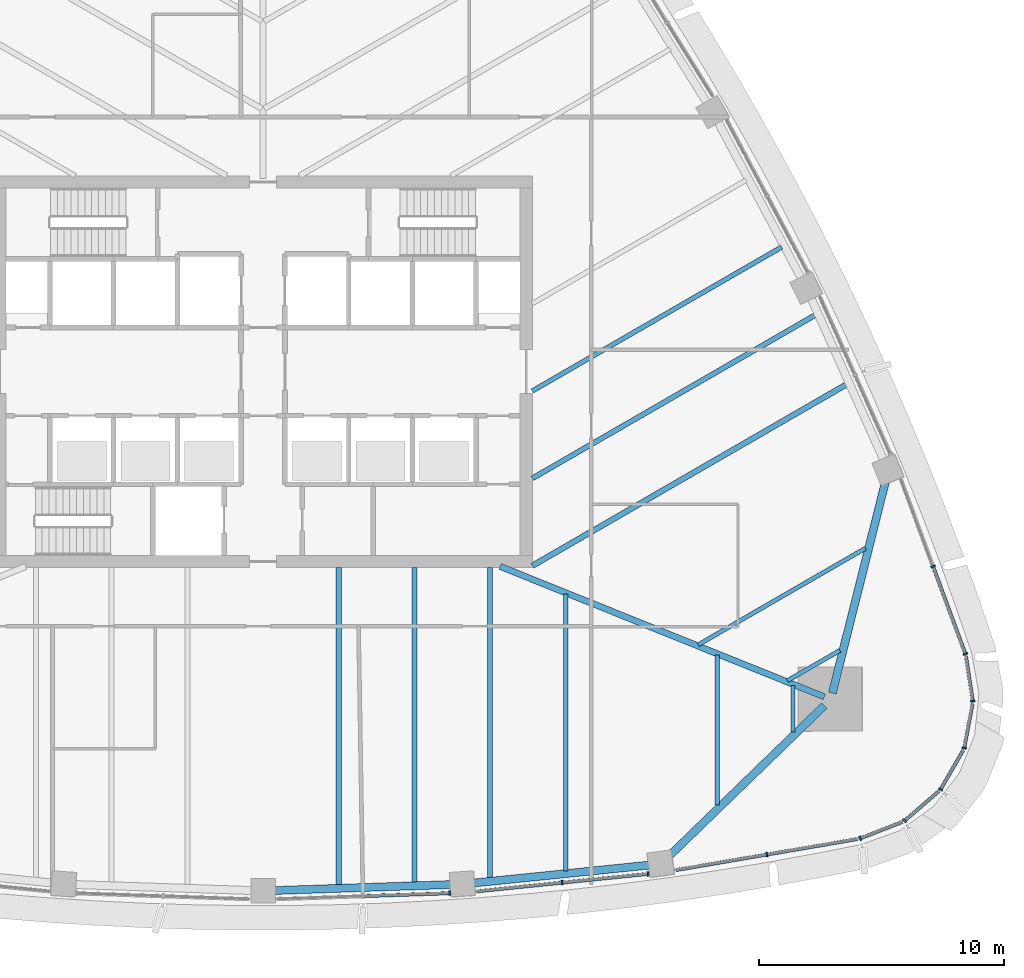
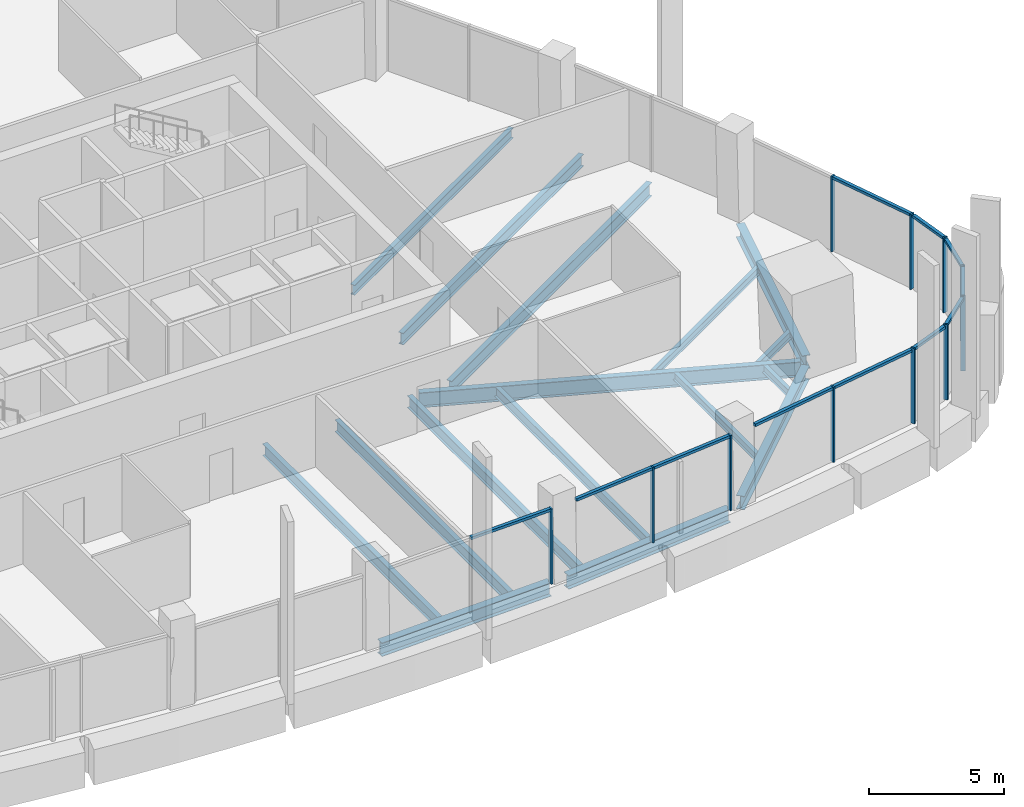
# One storey, part 4 of 19: 22 members, 16 beams, 9 elements without a shape of their own.
"""IFC4 building model written with IfcOpenShell, lengths in metres."""

from ifc_helpers import new_model, si_unit, direction, frame, origin, origin_2d, place, context, subcontext, project, spatial, rectangle, i_section, extrude, material, layer, layer_set, material_profile, profile_set, type_object, element, aggregate, save


model = new_model("IFC4")

# Units and contexts
model_context = context("Model", 3, precision=1e-05, world=origin(), true_north=direction((0.0, 1.0)))
body_context = subcontext(model_context, "Body", "Model", "MODEL_VIEW")
ifc_project = project(units=[si_unit("LENGTHUNIT", "METRE"), si_unit("AREAUNIT", "SQUARE_METRE"), si_unit("VOLUMEUNIT", "CUBIC_METRE"), si_unit("PLANEANGLEUNIT", "RADIAN"), si_unit("MASSUNIT", "GRAM", prefix="KILO")], contexts=[model_context])

# Site, building, storey
site_placement = place(None, origin())
site = spatial("IfcSite", under=ifc_project, at=site_placement, CompositionType="ELEMENT")
building_placement = place(site_placement, origin())
building = spatial("IfcBuilding", under=site, at=building_placement, Name="Sierra Prisma Convention Tower", CompositionType="ELEMENT")
storey_placement = place(building_placement, frame((0.0, 0.0, 193.800048828125)))
storey = spatial("IfcBuildingStorey", under=building, at=storey_placement, Name="L43", CompositionType="ELEMENT", Elevation=193.800048828125)

# Curtain wall, member
ifc_material_1 = material(Name="Aluminium and glass curtain wall", Category="aluminium")
ifc_layer = layer(ifc_material_1, 0.179931640625)
ifc_layer_set = layer_set([ifc_layer], Name="CW-1 Plain shaft curtain wall")
curtain_wall_type = type_object("IfcCurtainWallType", Name="CW-1 Plain shaft curtain wall", PredefinedType="NOTDEFINED", material=ifc_layer_set)
curtain_wall_1_placement = place(storey_placement, origin())
curtain_wall_1 = element("IfcCurtainWall", 1, at=curtain_wall_1_placement, inside=storey, type_object=curtain_wall_type, Name="CW-1 S4 L43", PredefinedType="NOTDEFINED")
ifc_material_2 = material(Name="Aluminium 6063-T6 bronze anodised", Category="aluminium")
ifc_material_profile_1 = material_profile(ifc_material_2, rectangle(XDim=0.179931640625, YDim=0.070068359375, at=origin_2d()), Name="ALU MULLION 70x180")
ifc_profile_set_1 = profile_set([ifc_material_profile_1], Name="Aluminium 6063-T6 bronze anodised")
member_type_1 = type_object("IfcMemberType", Name="CW mullion bronze", PredefinedType="MULLION", material=ifc_profile_set_1)
member_1_placement = place(storey_placement, frame((7.62255859375, -21.30029296875, 0.0), z_axis=(0.0, 0.0, 1.0), x_axis=(-0.033867816597, 0.999426320946, 0.0)))
member_1 = element("IfcMember", 2, at=member_1_placement, type_object=member_type_1, Name="CW-1 mullion S4.3", PredefinedType="MULLION", context=body_context, shape_type="SweptSolid", body=[
    extrude(rectangle(XDim=0.179931640625, YDim=0.070068359375, at=origin_2d()), origin(), (0.0, 0.0, 1.0), 3.39990234375),
])

# Curtain wall, members
curtain_wall_2_placement = place(storey_placement, origin())
curtain_wall_2 = element("IfcCurtainWall", 3, at=curtain_wall_2_placement, inside=storey, type_object=curtain_wall_type, Name="CW-1 S5 L43", PredefinedType="NOTDEFINED")
member_2_placement = place(storey_placement, frame((12.213623046875, -20.869384765625, 0.0), z_axis=(0.0, 0.0, 1.0), x_axis=(-0.101448060321, 0.994840837047, 0.0)))
member_2 = element("IfcMember", 4, at=member_2_placement, type_object=member_type_1, Name="CW-1 mullion S5.2", PredefinedType="MULLION", context=body_context, shape_type="SweptSolid", body=[
    extrude(rectangle(XDim=0.179931640625, YDim=0.070068359375, at=origin_2d()), origin(), (0.0, 0.0, 1.0), 3.39990234375),
])
member_3_placement = place(storey_placement, frame((15.725341796875, -20.51123046875, 0.0), z_axis=(0.0, 0.0, 1.0), x_axis=(-0.101448060321, 0.994840837047, 0.0)))
member_3 = element("IfcMember", 5, at=member_3_placement, type_object=member_type_1, Name="CW-1 mullion S5.3", PredefinedType="MULLION", context=body_context, shape_type="SweptSolid", body=[
    extrude(rectangle(XDim=0.179931640625, YDim=0.070068359375, at=origin_2d()), origin(), (0.0, 0.0, 1.0), 3.39990234375),
])

# Curtain wall, member
curtain_wall_3_placement = place(storey_placement, origin())
curtain_wall_3 = element("IfcCurtainWall", 6, at=curtain_wall_3_placement, inside=storey, type_object=curtain_wall_type, Name="CW-1 S6 L43", PredefinedType="NOTDEFINED")
member_4_placement = place(storey_placement, frame((20.576904296875, -19.721435546875, 0.0), z_axis=(0.0, 0.0, 1.0), x_axis=(-0.168562848575, 0.985690907983, 0.0)))
member_4 = element("IfcMember", 7, at=member_4_placement, type_object=member_type_1, Name="CW-1 mullion S6.2", PredefinedType="MULLION", context=body_context, shape_type="SweptSolid", body=[
    extrude(rectangle(XDim=0.179931640625, YDim=0.070068359375, at=origin_2d()), origin(), (0.0, 0.0, 1.0), 3.39990234375),
])

curtain_wall_4_placement = place(storey_placement, origin())
curtain_wall_4 = element("IfcCurtainWall", 8, at=curtain_wall_4_placement, inside=storey, type_object=curtain_wall_type, Name="CW-1 SE1 L43", PredefinedType="NOTDEFINED")
member_5_placement = place(storey_placement, frame((24.3916015625, -19.061767578125, 0.0), z_axis=(0.0, 0.0, 1.0), x_axis=(-0.363513015005, 0.931589119688, 0.0)))
member_5 = element("IfcMember", 9, at=member_5_placement, type_object=member_type_1, Name="CW-1 mullion SE1.1", PredefinedType="MULLION", context=body_context, shape_type="SweptSolid", body=[
    extrude(rectangle(XDim=0.179931640625, YDim=0.070068359375, at=origin_2d()), origin(), (0.0, 0.0, 1.0), 3.39990234375),
])

curtain_wall_5_placement = place(storey_placement, origin())
curtain_wall_5 = element("IfcCurtainWall", 10, at=curtain_wall_5_placement, inside=storey, type_object=curtain_wall_type, Name="CW-1 SE2 L43", PredefinedType="NOTDEFINED")
member_6_placement = place(storey_placement, frame((26.203125, -18.342529296875, 0.0), z_axis=(0.0, 0.0, 1.0), x_axis=(-0.651543147372, 0.758611578552, 0.0)))
member_6 = element("IfcMember", 11, at=member_6_placement, type_object=member_type_1, Name="CW-1 mullion SE2.1", PredefinedType="MULLION", context=body_context, shape_type="SweptSolid", body=[
    extrude(rectangle(XDim=0.179931640625, YDim=0.070068359375, at=origin_2d()), origin(), (0.0, 0.0, 1.0), 3.39990234375),
])

curtain_wall_6_placement = place(storey_placement, origin())
curtain_wall_6 = element("IfcCurtainWall", 12, at=curtain_wall_6_placement, inside=storey, type_object=curtain_wall_type, Name="CW-1 SE3 L43", PredefinedType="NOTDEFINED")
member_7_placement = place(storey_placement, frame((27.67431640625, -17.063720703125, 0.0), z_axis=(0.0, 0.0, 1.0), x_axis=(-0.866025403784, 0.5, 0.0)))
member_7 = element("IfcMember", 13, at=member_7_placement, type_object=member_type_1, Name="CW-1 mullion SE3.1", PredefinedType="MULLION", context=body_context, shape_type="SweptSolid", body=[
    extrude(rectangle(XDim=0.179931640625, YDim=0.070068359375, at=origin_2d()), origin(), (0.0, 0.0, 1.0), 3.39990234375),
])

curtain_wall_7_placement = place(storey_placement, origin())
curtain_wall_7 = element("IfcCurtainWall", 14, at=curtain_wall_7_placement, inside=storey, type_object=curtain_wall_type, Name="CW-1 SE4 L43", PredefinedType="NOTDEFINED")
member_8_placement = place(storey_placement, frame((28.638916015625, -15.3701171875, 0.0), z_axis=(0.0, 0.0, 1.0), x_axis=(-0.982748472317, 0.184947128009, 0.0)))
member_8 = element("IfcMember", 15, at=member_8_placement, type_object=member_type_1, Name="CW-1 mullion SE4.1", PredefinedType="MULLION", context=body_context, shape_type="SweptSolid", body=[
    extrude(rectangle(XDim=0.179931640625, YDim=0.070068359375, at=origin_2d()), origin(), (0.0, 0.0, 1.0), 3.39990234375),
])

curtain_wall_8_placement = place(storey_placement, origin())
curtain_wall_8 = element("IfcCurtainWall", 16, at=curtain_wall_8_placement, inside=storey, type_object=curtain_wall_type, Name="CW-1 SE5 L43", PredefinedType="NOTDEFINED")
member_9_placement = place(storey_placement, frame((28.98779296875, -13.452392578125, 0.0), z_axis=(0.0, 0.0, 1.0), x_axis=(-0.988536351042, -0.150983054244, 0.0)))
member_9 = element("IfcMember", 17, at=member_9_placement, type_object=member_type_1, Name="CW-1 mullion SE5.1", PredefinedType="MULLION", context=body_context, shape_type="SweptSolid", body=[
    extrude(rectangle(XDim=0.179931640625, YDim=0.070068359375, at=origin_2d()), origin(), (0.0, 0.0, 1.0), 3.39990234375),
])

# Curtain wall, members
curtain_wall_9_placement = place(storey_placement, origin())
curtain_wall_9 = element("IfcCurtainWall", 18, at=curtain_wall_9_placement, inside=storey, type_object=curtain_wall_type, Name="CW-1 NE1 L43", PredefinedType="NOTDEFINED")
member_10_placement = place(storey_placement, frame((28.6865234375, -11.525390625, 0.0), z_axis=(0.0, 0.0, 1.0), x_axis=(-0.93791479088, -0.346865744991, 0.0)))
member_10 = element("IfcMember", 19, at=member_10_placement, type_object=member_type_1, Name="CW-1 mullion NE1.1", PredefinedType="MULLION", context=body_context, shape_type="SweptSolid", body=[
    extrude(rectangle(XDim=0.179931640625, YDim=0.070068359375, at=origin_2d()), origin(), (0.0, 0.0, 1.0), 3.39990234375),
])
member_11_placement = place(storey_placement, frame((27.36767578125, -7.95947265625, 0.0), z_axis=(0.0, 0.0, 1.0), x_axis=(-0.93791479088, -0.346865744991, 0.0)))
member_11 = element("IfcMember", 20, at=member_11_placement, type_object=member_type_1, Name="CW-1 mullion NE1.2", PredefinedType="MULLION", context=body_context, shape_type="SweptSolid", body=[
    extrude(rectangle(XDim=0.179931640625, YDim=0.070068359375, at=origin_2d()), origin(), (0.0, 0.0, 1.0), 3.39990234375),
])

# Member
ifc_material_3 = material(Name="Aluminium 6063-T6 bronze anodised", Category="aluminium")
ifc_material_profile_2 = material_profile(ifc_material_3, rectangle(XDim=0.139892578125, YDim=0.1201171875, at=origin_2d()), Name="ALU TRANSOM 120x140")
ifc_profile_set_2 = profile_set([ifc_material_profile_2], Name="Aluminium 6063-T6 bronze anodised")
member_type_2 = type_object("IfcMemberType", Name="CW transom bronze", PredefinedType="USERDEFINED", material=ifc_profile_set_2)
member_12_placement = place(storey_placement, frame((4.113525390625, -21.419189453125, 3.33984375), z_axis=(0.999426833537, 0.033852686842, 0.0), x_axis=(-0.033852686842, 0.999426833537, 0.0)))
member_12 = element("IfcMember", 21, at=member_12_placement, type_object=member_type_2, Name="CW-1 transom S4.2", ObjectType="TRANSOM", PredefinedType="USERDEFINED", context=body_context, shape_type="SweptSolid", body=[
    extrude(rectangle(XDim=0.139892578125, YDim=0.1201171875, at=origin_2d()), origin(), (0.0, 0.0, 1.0), 3.47607421875),
])

aggregate(curtain_wall_1, [member_1, member_12])

member_13_placement = place(storey_placement, frame((8.736572265625, -21.223876953125, 3.33984375), z_axis=(0.994838940495, 0.101466656957, 0.0), x_axis=(-0.101466656957, 0.994838940495, 0.0)))
member_13 = element("IfcMember", 22, at=member_13_placement, type_object=member_type_2, Name="CW-1 transom S5.1", ObjectType="TRANSOM", PredefinedType="USERDEFINED", context=body_context, shape_type="SweptSolid", body=[
    extrude(rectangle(XDim=0.139892578125, YDim=0.1201171875, at=origin_2d()), origin(), (0.0, 0.0, 1.0), 3.4599609375),
])

member_14_placement = place(storey_placement, frame((12.248291015625, -20.86572265625, 3.33984375), z_axis=(0.994846060729, 0.101396821708, 0.0), x_axis=(-0.101396821708, 0.994846060729, 0.0)))
member_14 = element("IfcMember", 23, at=member_14_placement, type_object=member_type_2, Name="CW-1 transom S5.2", ObjectType="TRANSOM", PredefinedType="USERDEFINED", context=body_context, shape_type="SweptSolid", body=[
    extrude(rectangle(XDim=0.139892578125, YDim=0.1201171875, at=origin_2d()), origin(), (0.0, 0.0, 1.0), 3.4599609375),
])

aggregate(curtain_wall_2, [member_2, member_3, member_13, member_14])

member_15_placement = place(storey_placement, frame((16.863525390625, -20.3564453125, 3.33984375), z_axis=(0.985688476849, 0.168577064298, 0.0), x_axis=(-0.168577064298, 0.985688476849, 0.0)))
member_15 = element("IfcMember", 24, at=member_15_placement, type_object=member_type_2, Name="CW-1 transom S6.1", ObjectType="TRANSOM", PredefinedType="USERDEFINED", context=body_context, shape_type="SweptSolid", body=[
    extrude(rectangle(XDim=0.139892578125, YDim=0.1201171875, at=origin_2d()), origin(), (0.0, 0.0, 1.0), 3.732177734375),
])

member_16_placement = place(storey_placement, frame((20.611328125, -19.715576171875, 3.33984375), z_axis=(0.985688476849, 0.168577064298, 0.0), x_axis=(-0.168577064298, 0.985688476849, 0.0)))
member_16 = element("IfcMember", 25, at=member_16_placement, type_object=member_type_2, Name="CW-1 transom S6.2", ObjectType="TRANSOM", PredefinedType="USERDEFINED", context=body_context, shape_type="SweptSolid", body=[
    extrude(rectangle(XDim=0.139892578125, YDim=0.1201171875, at=origin_2d()), origin(), (0.0, 0.0, 1.0), 3.732177734375),
])

aggregate(curtain_wall_3, [member_4, member_15, member_16])

member_17_placement = place(storey_placement, frame((24.42431640625, -19.049072265625, 3.33984375), z_axis=(0.931622152396, 0.363428349423, 0.0), x_axis=(-0.363428349423, 0.931622152396, 0.0)))
member_17 = element("IfcMember", 26, at=member_17_placement, type_object=member_type_2, Name="CW-1 transom SE1.1", ObjectType="TRANSOM", PredefinedType="USERDEFINED", context=body_context, shape_type="SweptSolid", body=[
    extrude(rectangle(XDim=0.139892578125, YDim=0.1201171875, at=origin_2d()), origin(), (0.0, 0.0, 1.0), 1.81103515625),
])

aggregate(curtain_wall_4, [member_5, member_17])

member_18_placement = place(storey_placement, frame((26.229736328125, -18.31982421875, 3.33984375), z_axis=(0.758590190554, 0.651568049243, 0.0), x_axis=(-0.651568049243, 0.758590190554, 0.0)))
member_18 = element("IfcMember", 27, at=member_18_placement, type_object=member_type_2, Name="CW-1 transom SE2.1", ObjectType="TRANSOM", PredefinedType="USERDEFINED", context=body_context, shape_type="SweptSolid", body=[
    extrude(rectangle(XDim=0.139892578125, YDim=0.1201171875, at=origin_2d()), origin(), (0.0, 0.0, 1.0), 1.811279296875),
])

aggregate(curtain_wall_5, [member_6, member_18])

member_19_placement = place(storey_placement, frame((27.69189453125, -17.033447265625, 3.33984375), z_axis=(0.500010299859, 0.866019457076, 0.0), x_axis=(-0.866019457076, 0.500010299859, 0.0)))
member_19 = element("IfcMember", 28, at=member_19_placement, type_object=member_type_2, Name="CW-1 transom SE3.1", ObjectType="TRANSOM", PredefinedType="USERDEFINED", context=body_context, shape_type="SweptSolid", body=[
    extrude(rectangle(XDim=0.139892578125, YDim=0.1201171875, at=origin_2d()), origin(), (0.0, 0.0, 1.0), 1.81103515625),
])

aggregate(curtain_wall_6, [member_7, member_19])

member_20_placement = place(storey_placement, frame((28.645263671875, -15.335693359375, 3.33984375), z_axis=(0.18495591696, 0.98274681825, 0.0), x_axis=(-0.98274681825, 0.18495591696, 0.0)))
member_20 = element("IfcMember", 29, at=member_20_placement, type_object=member_type_2, Name="CW-1 transom SE4.1", ObjectType="TRANSOM", PredefinedType="USERDEFINED", context=body_context, shape_type="SweptSolid", body=[
    extrude(rectangle(XDim=0.139892578125, YDim=0.1201171875, at=origin_2d()), origin(), (0.0, 0.0, 1.0), 1.81103515625),
])

aggregate(curtain_wall_7, [member_8, member_20])

member_21_placement = place(storey_placement, frame((28.982666015625, -13.417724609375, 3.33984375), z_axis=(-0.150983317621, 0.988536310815, 0.0), x_axis=(-0.988536310815, -0.150983317621, 0.0)))
member_21 = element("IfcMember", 30, at=member_21_placement, type_object=member_type_2, Name="CW-1 transom SE5.1", ObjectType="TRANSOM", PredefinedType="USERDEFINED", context=body_context, shape_type="SweptSolid", body=[
    extrude(rectangle(XDim=0.139892578125, YDim=0.1201171875, at=origin_2d()), origin(), (0.0, 0.0, 1.0), 1.81103515625),
])

aggregate(curtain_wall_8, [member_9, member_21])

member_22_placement = place(storey_placement, frame((28.67431640625, -11.49267578125, 3.33984375), z_axis=(-0.346832808011, 0.937926971191, 0.0), x_axis=(-0.937926971191, -0.346832808011, 0.0)))
member_22 = element("IfcMember", 31, at=member_22_placement, type_object=member_type_2, Name="CW-1 transom NE1.1", ObjectType="TRANSOM", PredefinedType="USERDEFINED", context=body_context, shape_type="SweptSolid", body=[
    extrude(rectangle(XDim=0.139892578125, YDim=0.1201171875, at=origin_2d()), origin(), (0.0, 0.0, 1.0), 3.732177734375),
])

aggregate(curtain_wall_9, [member_10, member_11, member_22])

# Beams
ifc_material_4 = material(Name="Steel ASTM A992 Gr 50", Category="steel")
ifc_material_profile_3 = material_profile(ifc_material_4, i_section(OverallWidth=0.172119140625, OverallDepth=0.35791015625, WebThickness=0.0078125, FlangeThickness=0.01318359375, at=origin_2d()), Name="W360x57")
ifc_profile_set_3 = profile_set([ifc_material_profile_3], Name="Steel ASTM A992 Gr 50")
beam_type_1 = type_object("IfcBeamType", Name="Floor joist W360x57", PredefinedType="JOIST", material=ifc_profile_set_3)
beam_1_placement = place(storey_placement, frame((18.549560546875, -17.705078125, -0.3291015625), z_axis=(0.0, 1.0, 0.0), x_axis=(-1.0, 0.0, 0.0)))
element("IfcBeam", 32, at=beam_1_placement, inside=storey, type_object=beam_type_1, Name="Floor joist L43 S14", PredefinedType="JOIST", context=body_context, shape_type="SweptSolid", body=[
    extrude(i_section(OverallWidth=0.172119140625, OverallDepth=0.35791015625, WebThickness=0.0078125, FlangeThickness=0.01318359375, at=origin_2d()), origin(), (0.0, 0.0, 1.0), 6.12939453125),
])
beam_2_placement = place(storey_placement, frame((21.64111328125, -14.708740234375, -0.3291015625), z_axis=(0.0, 1.0, 0.0), x_axis=(-1.0, 0.0, 0.0)))
element("IfcBeam", 33, at=beam_2_placement, inside=storey, type_object=beam_type_1, Name="Floor joist L43 S15", PredefinedType="JOIST", context=body_context, shape_type="SweptSolid", body=[
    extrude(i_section(OverallWidth=0.172119140625, OverallDepth=0.35791015625, WebThickness=0.0078125, FlangeThickness=0.01318359375, at=origin_2d()), origin(), (0.0, 0.0, 1.0), 1.88916015625),
])
beam_3_placement = place(storey_placement, frame((23.558837890625, -11.387451171875, -0.3291015625), z_axis=(-0.866062072556, -0.499936482445, 0.0), x_axis=(0.499936482445, -0.866062072556, 0.0)))
element("IfcBeam", 34, at=beam_3_placement, inside=storey, type_object=beam_type_1, Name="Floor joist L43 NE01", PredefinedType="JOIST", context=body_context, shape_type="SweptSolid", body=[
    extrude(i_section(OverallWidth=0.172119140625, OverallDepth=0.35791015625, WebThickness=0.0078125, FlangeThickness=0.01318359375, at=origin_2d()), origin(), (0.0, 0.0, 1.0), 2.468505859375),
])
beam_4_placement = place(storey_placement, frame((24.607666015625, -7.2119140625, -0.3291015625), z_axis=(-0.866032487446, -0.499987730537, 0.0), x_axis=(0.499987730537, -0.866032487446, 0.0)))
element("IfcBeam", 35, at=beam_4_placement, inside=storey, type_object=beam_type_1, Name="Floor joist L43 NE02", PredefinedType="JOIST", context=body_context, shape_type="SweptSolid", body=[
    extrude(i_section(OverallWidth=0.172119140625, OverallDepth=0.35791015625, WebThickness=0.0078125, FlangeThickness=0.01318359375, at=origin_2d()), origin(), (0.0, 0.0, 1.0), 7.886962890625),
])
ifc_material_5 = material(Name="Steel ASTM A992 Gr 50", Category="steel")
ifc_material_profile_4 = material_profile(ifc_material_5, i_section(OverallWidth=0.18994140625, OverallDepth=0.45703125, WebThickness=0.009033203125, FlangeThickness=0.014404296875, at=origin_2d()), Name="W460x74")
ifc_profile_set_4 = profile_set([ifc_material_profile_4], Name="Steel ASTM A992 Gr 50")
beam_type_2 = type_object("IfcBeamType", Name="Floor joist W460x74", PredefinedType="JOIST", material=ifc_profile_set_4)
beam_5_placement = place(storey_placement, frame((12.366455078125, -20.388916015625, -0.378662109375), z_axis=(0.0, 1.0, 0.0), x_axis=(-1.0, 0.0, 0.0)))
element("IfcBeam", 36, at=beam_5_placement, inside=storey, type_object=beam_type_2, Name="Floor joist L43 S12", PredefinedType="JOIST", context=body_context, shape_type="SweptSolid", body=[
    extrude(i_section(OverallWidth=0.18994140625, OverallDepth=0.45703125, WebThickness=0.009033203125, FlangeThickness=0.014404296875, at=origin_2d()), origin(), (0.0, 0.0, 1.0), 11.301513671875),
])
beam_6_placement = place(storey_placement, frame((21.179931640625, 5.08837890625, -0.378662109375), z_axis=(-0.866032366257, -0.499987940449, 0.0), x_axis=(0.499987940449, -0.866032366257, 0.0)))
element("IfcBeam", 37, at=beam_6_placement, inside=storey, type_object=beam_type_2, Name="Floor joist L43 NE06", PredefinedType="JOIST", context=body_context, shape_type="SweptSolid", body=[
    extrude(i_section(OverallWidth=0.18994140625, OverallDepth=0.45703125, WebThickness=0.009033203125, FlangeThickness=0.014404296875, at=origin_2d()), origin(), (0.0, 0.0, 1.0), 11.754638671875),
])
ifc_material_6 = material(Name="Steel ASTM A992 Gr 50", Category="steel")
ifc_material_profile_5 = material_profile(ifc_material_6, i_section(OverallWidth=0.208984375, OverallDepth=0.532958984375, WebThickness=0.01025390625, FlangeThickness=0.015625, at=origin_2d()), Name="W530x92")
ifc_profile_set_5 = profile_set([ifc_material_profile_5], Name="Steel ASTM A992 Gr 50")
beam_type_3 = type_object("IfcBeamType", Name="Floor joist W530x92", PredefinedType="JOIST", material=ifc_profile_set_5)
beam_7_placement = place(storey_placement, frame((3.091552734375, -20.9912109375, -0.41650390625), z_axis=(0.0, 1.0, 0.0), x_axis=(-1.0, 0.0, 0.0)))
element("IfcBeam", 38, at=beam_7_placement, inside=storey, type_object=beam_type_3, Name="Floor joist L43 S09", PredefinedType="JOIST", context=body_context, shape_type="SweptSolid", body=[
    extrude(i_section(OverallWidth=0.208984375, OverallDepth=0.532958984375, WebThickness=0.01025390625, FlangeThickness=0.015625, at=origin_2d()), origin(), (0.0, 0.0, 1.0), 12.9912109375),
])
beam_8_placement = place(storey_placement, frame((6.18310546875, -20.886474609375, -0.41650390625), z_axis=(0.0, 1.0, 0.0), x_axis=(-1.0, 0.0, 0.0)))
element("IfcBeam", 39, at=beam_8_placement, inside=storey, type_object=beam_type_3, Name="Floor joist L43 S10", PredefinedType="JOIST", context=body_context, shape_type="SweptSolid", body=[
    extrude(i_section(OverallWidth=0.208984375, OverallDepth=0.532958984375, WebThickness=0.01025390625, FlangeThickness=0.015625, at=origin_2d()), origin(), (0.0, 0.0, 1.0), 12.886474609375),
])
beam_9_placement = place(storey_placement, frame((9.274658203125, -20.7041015625, -0.41650390625), z_axis=(0.0, 1.0, 0.0), x_axis=(-1.0, 0.0, 0.0)))
element("IfcBeam", 40, at=beam_9_placement, inside=storey, type_object=beam_type_3, Name="Floor joist L43 S11", PredefinedType="JOIST", context=body_context, shape_type="SweptSolid", body=[
    extrude(i_section(OverallWidth=0.208984375, OverallDepth=0.532958984375, WebThickness=0.01025390625, FlangeThickness=0.015625, at=origin_2d()), origin(), (0.0, 0.0, 1.0), 12.7041015625),
])
beam_10_placement = place(storey_placement, frame((22.567626953125, 2.31982421875, -0.41650390625), z_axis=(-0.866028831611, -0.499994062783, 0.0), x_axis=(0.499994062783, -0.866028831611, 0.0)))
element("IfcBeam", 41, at=beam_10_placement, inside=storey, type_object=beam_type_3, Name="Floor joist L43 NE05", PredefinedType="JOIST", context=body_context, shape_type="SweptSolid", body=[
    extrude(i_section(OverallWidth=0.208984375, OverallDepth=0.532958984375, WebThickness=0.01025390625, FlangeThickness=0.015625, at=origin_2d()), origin(), (0.0, 0.0, 1.0), 13.357177734375),
])
ifc_material_7 = material(Name="Steel ASTM A992 Gr 50", Category="steel")
ifc_material_profile_6 = material_profile(ifc_material_7, i_section(OverallWidth=0.22802734375, OverallDepth=0.60302734375, WebThickness=0.010498046875, FlangeThickness=0.014892578125, at=origin_2d()), Name="W610x101")
ifc_profile_set_6 = profile_set([ifc_material_profile_6], Name="Steel ASTM A992 Gr 50")
beam_type_4 = type_object("IfcBeamType", Name="Floor joist W610x101", PredefinedType="JOIST", material=ifc_profile_set_6)
beam_11_placement = place(storey_placement, frame((23.84033203125, -0.51513671875, -0.45166015625), z_axis=(-0.86602654501, -0.499998023334, 0.0), x_axis=(0.499998023334, -0.86602654501, 0.0)))
element("IfcBeam", 42, at=beam_11_placement, inside=storey, type_object=beam_type_4, Name="Floor joist L43 NE04", PredefinedType="JOIST", context=body_context, shape_type="SweptSolid", body=[
    extrude(i_section(OverallWidth=0.22802734375, OverallDepth=0.60302734375, WebThickness=0.010498046875, FlangeThickness=0.014892578125, at=origin_2d()), origin(), (0.0, 0.0, 1.0), 14.82666015625),
])
ifc_material_8 = material(Name="Steel ASTM A992 Gr 50", Category="steel")
ifc_material_profile_7 = material_profile(ifc_material_8, i_section(OverallWidth=0.25390625, OverallDepth=0.68408203125, WebThickness=0.012451171875, FlangeThickness=0.018798828125, at=origin_2d()), Name="W690x140")
ifc_profile_set_7 = profile_set([ifc_material_profile_7], Name="Steel ASTM A992 Gr 50")
beam_type_5 = type_object("IfcBeamType", Name="Radial girder W690x140", PredefinedType="BEAM", material=ifc_profile_set_7)
beam_12_placement = place(storey_placement, frame((22.927001953125, -13.2822265625, -0.491943359375), z_axis=(-0.927711319817, 0.373298415592, 0.0), x_axis=(-0.373298415592, -0.927711319817, 0.0)))
element("IfcBeam", 43, at=beam_12_placement, inside=storey, type_object=beam_type_5, Name="Radial girder L43 SE", PredefinedType="BEAM", context=body_context, shape_type="SweptSolid", body=[
    extrude(i_section(OverallWidth=0.25390625, OverallDepth=0.68408203125, WebThickness=0.012451171875, FlangeThickness=0.018798828125, at=origin_2d()), origin(), (0.0, 0.0, 1.0), 14.269775390625),
])
ifc_material_9 = material(Name="Steel ASTM A992 Gr 50", Category="steel")
ifc_material_profile_8 = material_profile(ifc_material_9, i_section(OverallWidth=0.324951171875, OverallDepth=0.615966796875, WebThickness=0.013916015625, FlangeThickness=0.021484375, at=origin_2d()), Name="W610x174")
ifc_profile_set_8 = profile_set([ifc_material_profile_8], Name="Steel ASTM A992 Gr 50")
beam_type_6 = type_object("IfcBeamType", Name="Spandrel beam W610x174", PredefinedType="BEAM", material=ifc_profile_set_8)
beam_13_placement = place(storey_placement, frame((0.380126953125, -21.19580078125, -0.4580078125), z_axis=(0.999425378218, 0.033895624688, 0.0), x_axis=(-0.033895624688, 0.999425378218, 0.0)))
element("IfcBeam", 44, at=beam_13_placement, inside=storey, type_object=beam_type_6, Name="Spandrel L43-04", PredefinedType="BEAM", context=body_context, shape_type="SweptSolid", body=[
    extrude(i_section(OverallWidth=0.324951171875, OverallDepth=0.615966796875, WebThickness=0.013916015625, FlangeThickness=0.021484375, at=origin_2d()), origin(), (0.0, 0.0, 1.0), 7.389892578125),
])
beam_14_placement = place(storey_placement, frame((8.524169921875, -20.89404296875, -0.4580078125), z_axis=(0.994840336595, 0.101452967845, 0.0), x_axis=(-0.101452967845, 0.994840336595, 0.0)))
element("IfcBeam", 45, at=beam_14_placement, inside=storey, type_object=beam_type_6, Name="Spandrel L43-05", PredefinedType="BEAM", context=body_context, shape_type="SweptSolid", body=[
    extrude(i_section(OverallWidth=0.324951171875, OverallDepth=0.615966796875, WebThickness=0.013916015625, FlangeThickness=0.021484375, at=origin_2d()), origin(), (0.0, 0.0, 1.0), 7.39013671875),
])
beam_15_placement = place(storey_placement, frame((16.614013671875, -19.75732421875, -0.4580078125), z_axis=(0.718086677732, 0.695953678964, 0.0), x_axis=(-0.695953678964, 0.718086677732, 0.0)))
element("IfcBeam", 46, at=beam_15_placement, inside=storey, type_object=beam_type_6, Name="Spandrel L43-06", PredefinedType="BEAM", context=body_context, shape_type="SweptSolid", body=[
    extrude(i_section(OverallWidth=0.324951171875, OverallDepth=0.615966796875, WebThickness=0.013916015625, FlangeThickness=0.021484375, at=origin_2d()), origin(), (0.0, 0.0, 1.0), 8.79150390625),
])
beam_16_placement = place(storey_placement, frame((23.252197265625, -13.126953125, -0.4580078125), z_axis=(0.243666869855, 0.969858987964, 0.0), x_axis=(-0.969858987964, 0.243666869855, 0.0)))
element("IfcBeam", 47, at=beam_16_placement, inside=storey, type_object=beam_type_6, Name="Spandrel L43-07", PredefinedType="BEAM", context=body_context, shape_type="SweptSolid", body=[
    extrude(i_section(OverallWidth=0.324951171875, OverallDepth=0.615966796875, WebThickness=0.013916015625, FlangeThickness=0.021484375, at=origin_2d()), origin(), (0.0, 0.0, 1.0), 8.88525390625),
])

save(model, "model.ifc")
